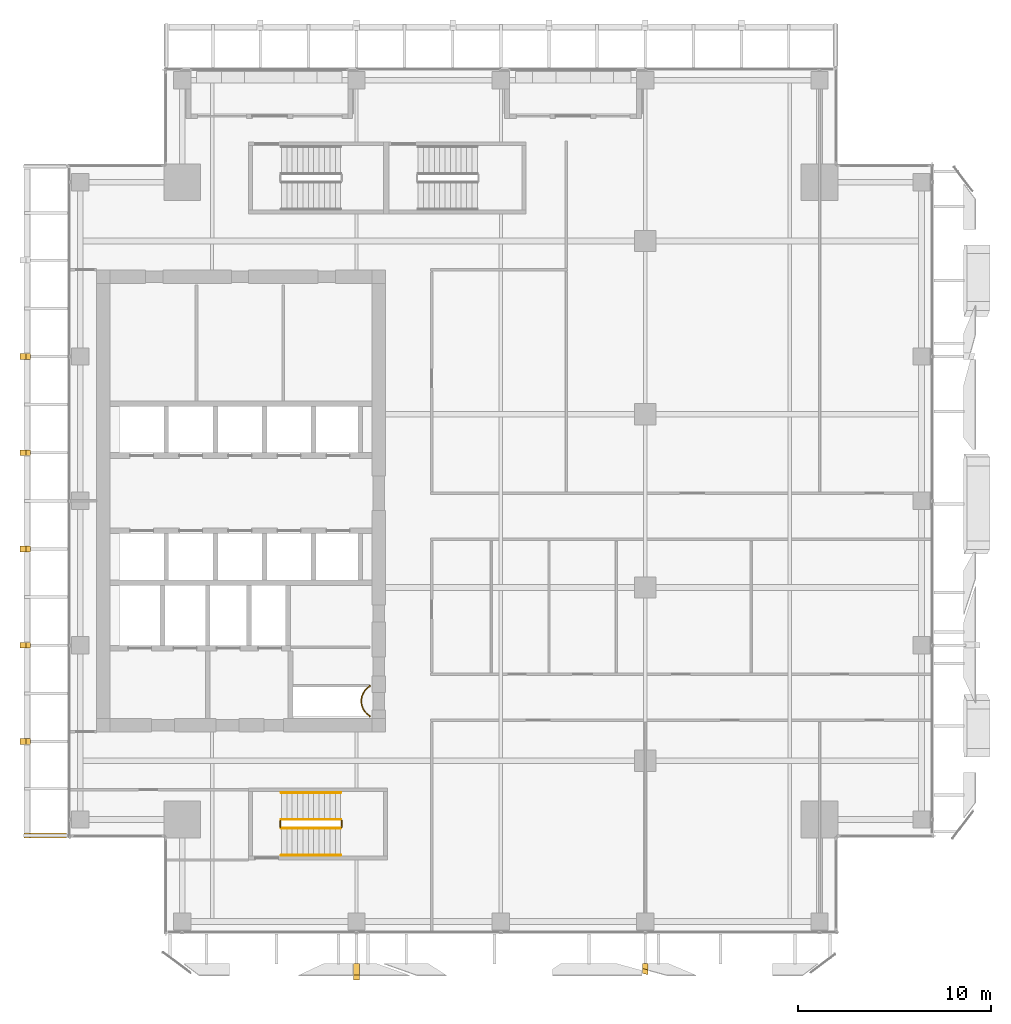
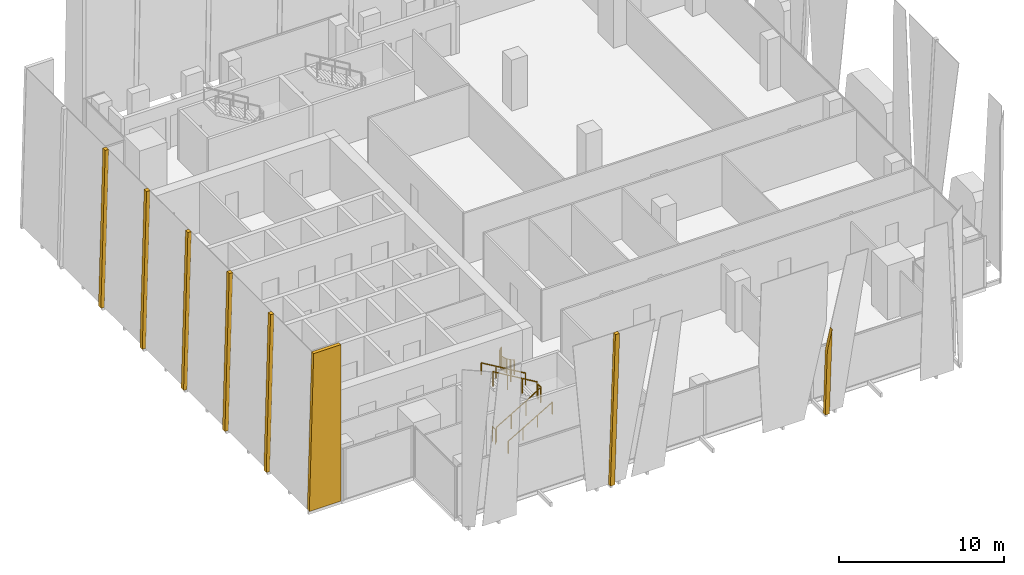
# One storey, part 30 of 33: 8 coverings, 7 railings.
"""IFC4 building model written with IfcOpenShell, lengths in metres."""

from ifc_helpers import new_model, si_unit, direction, frame, origin, origin_2d, place, context, subcontext, project, spatial, polyline, circle, outline, extrude, source, transform, mapped, material, layer, layer_set, type_object, element, save


model = new_model("IFC4")

# Units and contexts
model_context = context("Model", 3, precision=1e-05, world=origin(), true_north=direction((0.0, 1.0)))
body_context = subcontext(model_context, "Body", "Model", "MODEL_VIEW")
ifc_project = project(units=[si_unit("LENGTHUNIT", "METRE"), si_unit("AREAUNIT", "SQUARE_METRE"), si_unit("VOLUMEUNIT", "CUBIC_METRE"), si_unit("PLANEANGLEUNIT", "RADIAN"), si_unit("MASSUNIT", "GRAM", prefix="KILO")], contexts=[model_context])

# Site, building, storey
site_placement = place(None, origin())
site = spatial("IfcSite", under=ifc_project, at=site_placement, CompositionType="ELEMENT")
building_placement = place(site_placement, origin())
building = spatial("IfcBuilding", under=site, at=building_placement, Name="Khomas Fold Tower", CompositionType="ELEMENT")
storey_placement = place(building_placement, frame((0.0, 0.0, 234.199951171875)))
storey = spatial("IfcBuildingStorey", under=building, at=storey_placement, Name="L52", CompositionType="ELEMENT", Elevation=234.199951171875)

# Coverings
ifc_material_1 = material(Name="Natural stone cladding", Category="masonry")
ifc_layer = layer(ifc_material_1, 0.25)
ifc_layer_set = layer_set([ifc_layer], Name="Natural stone cladding")
covering_type = type_object("IfcCoveringType", Name="SK-Karibib marble stone mullion", PredefinedType="CLADDING", material=ifc_layer_set)
covering_1_placement = place(storey_placement, frame((19.35009765625, 2.97119140625, 0.0), z_axis=(0.0, 0.99862882819, 0.052349436554), x_axis=(0.0, -0.052349436554, 0.99862882819)))
element("IfcCovering", 1, at=covering_1_placement, inside=storey, type_object=covering_type, Name="OUTER SKIN mullion L52 SM100-5", PredefinedType="CLADDING", context=body_context, shape_type="SweptSolid", body=[
    extrude(outline(polyline([(0.0, 0.0), (11.565907674683308, 0.0), (11.565907674683308, 0.2998046875), (0.0, 0.2998046875), (0.0, 0.0)])), origin(), (0.0, 0.0, -1.0), 0.25),
])
covering_2_placement = place(storey_placement, frame((34.35009765625, 2.97119140625, 0.0), z_axis=(3.4773191e-05, 0.998628870917, 0.052348609923), x_axis=(-7.4e-11, -0.052348609955, 0.998628871521)))
element("IfcCovering", 2, at=covering_2_placement, inside=storey, type_object=covering_type, Name="OUTER SKIN mullion L52 SM103-7", PredefinedType="CLADDING", context=body_context, shape_type="SweptSolid", body=[
    extrude(outline(polyline([(0.0, 0.0), (4.887804778212142, -1.6940658945086007e-21), (6.44976196678466, 0.2998046881596209), (-2.2235764758988398e-11, 0.2998046873187419), (0.0, 0.0)])), origin(), (0.0, 0.0, -1.0), 0.25),
])
for number, where, z_axis, x_axis, name in (
    (3, (2.02490234375, 14.35009765625, 0.006591796875), (-0.999657230839, 0.0, 0.026180543005), (0.0, 1.0, 0.0), "OUTER SKIN mullion L52 W2"),
    (4, (2.02490234375, 19.35009765625, 0.006591796875), (-0.999657230839, 0.0, 0.026180543005), (0.0, 1.0, 0.0), "OUTER SKIN mullion L52 W4"),
    (5, (2.02490234375, 24.35009765625, 0.006591796875), (-0.999657230839, 0.0, 0.026180543005), (0.0, 1.0, 0.0), "OUTER SKIN mullion L52 W6"),
    (6, (2.02490234375, 29.35009765625, 0.006591796875), (-0.999657230839, 0.0, 0.026180543005), (0.0, 1.0, 0.0), "OUTER SKIN mullion L52 W8"),
    (7, (2.02490234375, 34.35009765625, 0.006591796875), (-0.999657230839, 0.0, 0.026180543005), (0.0, 1.0, 0.0), "OUTER SKIN mullion L52 W10"),
):
    element("IfcCovering", number, at=place(storey_placement, frame(where, z_axis=z_axis, x_axis=x_axis)), inside=storey, type_object=covering_type, Name=name, PredefinedType="CLADDING", context=body_context, shape_type="SweptSolid", body=[
        extrude(outline(polyline([(0.0, 0.0), (0.2998046875, 0.0), (0.2998046875, -11.554009186164079), (0.0, -11.554009186164079), (0.0, 0.0)])), origin(), (0.0, 0.0, -1.0), 0.25),
    ])
covering_3_placement = place(storey_placement, frame((4.449951171875, 9.5, 11.550048828125), z_axis=(0.0, -1.0, 0.0), x_axis=(-1.0, 0.0, 0.0)))
element("IfcCovering", 8, at=covering_3_placement, inside=storey, type_object=covering_type, Name="OUTER SKIN return L52 W1", PredefinedType="CLADDING", context=body_context, shape_type="SweptSolid", body=[
    extrude(outline(polyline([(0.0, 0.0), (1.91259765625, 0.0), (2.215087890625, 11.550048828125), (0.0, 11.550048828125), (0.0, 0.0)])), origin(), (0.0, 0.0, -1.0), 0.25),
])

# Railings
ifc_material_2 = material(Name="Steel balustrade", Category="steel")
railing_type_1 = type_object("IfcRailingType", Name="Stair guard", PredefinedType="GUARDRAIL", material=ifc_material_2)
shared_shape_1 = source(origin(), body_context, "Body", "SweptSolid", [
    extrude(circle(Radius=0.02392578125, at=origin_2d()), frame((0.0, 0.0, 1.076171875), z_axis=(0.0, 1.0, 0.0), x_axis=(-1.0, 0.0, 0.0)), (0.0, 0.0, 1.0), 0.349853515625),
    extrude(circle(Radius=0.02099609375, at=origin_2d()), origin(), (0.0, 0.0, 1.0), 1.052001953125),
    extrude(circle(Radius=0.02099609375, at=origin_2d()), frame((0.0, 0.349853515625, 0.0)), (0.0, 0.0, 1.0), 1.052001953125),
])
for number, where, name in (
    (9, (18.72998046875, 10.050048828125, 2.0), "L52 ST2 stair guard 2"),
    (10, (15.550048828125, 10.050048828125, 0.0), "L52 ST2 stair guard 4"),
):
    element("IfcRailing", number, at=place(storey_placement, frame(where)), inside=storey, type_object=railing_type_1, Name=name, PredefinedType="GUARDRAIL", context=body_context, shape_type="MappedRepresentation", body=[
        mapped(shared_shape_1, transform((0.0, 0.0, 0.0))),
    ])
shared_shape_2 = source(origin(), body_context, "Body", "SweptSolid", [
    extrude(circle(Radius=0.02392578125, at=origin_2d()), frame((0.0, 0.0, 1.076171875), z_axis=(0.859290745958, 0.0, 0.51148745235), x_axis=(0.0, 1.0, 0.0)), (0.0, 0.0, 1.0), 3.584228515625),
    extrude(circle(Radius=0.02099609375, at=origin_2d()), origin(), (0.0, 0.0, 1.0), 1.052001953125),
    extrude(circle(Radius=0.02099609375, at=origin_2d()), frame((1.026611328125, 0.0, 0.611083984375)), (0.0, 0.0, 1.0), 1.052001953125),
    extrude(circle(Radius=0.02099609375, at=origin_2d()), frame((2.05322265625, 0.0, 1.22216796875)), (0.0, 0.0, 1.0), 1.052001953125),
    extrude(circle(Radius=0.02099609375, at=origin_2d()), frame((3.079833984375, 0.0, 1.833251953125)), (0.0, 0.0, 1.0), 1.052001953125),
])
railing_1_placement = place(storey_placement, frame((15.60009765625, 10.0, 0.166748046875)))
element("IfcRailing", 11, at=railing_1_placement, inside=storey, type_object=railing_type_1, Name="L52 ST2 stair guard 1", PredefinedType="GUARDRAIL", context=body_context, shape_type="MappedRepresentation", body=[
    mapped(shared_shape_2, transform((0.0, 0.0, 0.0))),
])
shared_shape_3 = source(origin(), body_context, "Body", "SweptSolid", [
    extrude(circle(Radius=0.02392578125, at=origin_2d()), frame((0.0, 0.0, 1.076171875), z_axis=(-0.859290745958, 0.0, 0.51148745235), x_axis=(0.0, -1.0, 0.0)), (0.0, 0.0, 1.0), 3.584228515625),
    extrude(circle(Radius=0.02099609375, at=origin_2d()), origin(), (0.0, 0.0, 1.0), 1.052001953125),
    extrude(circle(Radius=0.02099609375, at=origin_2d()), frame((-1.026611328125, 0.0, 0.611083984375)), (0.0, 0.0, 1.0), 1.052001953125),
    extrude(circle(Radius=0.02099609375, at=origin_2d()), frame((-2.05322265625, 0.0, 1.22216796875)), (0.0, 0.0, 1.0), 1.052001953125),
    extrude(circle(Radius=0.02099609375, at=origin_2d()), frame((-3.079833984375, 0.0, 1.833251953125)), (0.0, 0.0, 1.0), 1.052001953125),
])
railing_2_placement = place(storey_placement, frame((18.679931640625, 10.449951171875, 2.166748046875)))
element("IfcRailing", 12, at=railing_2_placement, inside=storey, type_object=railing_type_1, Name="L52 ST2 stair guard 3", PredefinedType="GUARDRAIL", context=body_context, shape_type="MappedRepresentation", body=[
    mapped(shared_shape_3, transform((0.0, 0.0, 0.0))),
])
ifc_material_3 = material(Name="Steel handrail", Category="steel")
railing_type_2 = type_object("IfcRailingType", Name="Stair handrail", PredefinedType="HANDRAIL", material=ifc_material_3)
shared_shape_4 = source(origin(), body_context, "Body", "SweptSolid", [
    extrude(circle(Radius=0.02392578125, at=origin_2d()), frame((0.0, 0.0, 0.8759765625), z_axis=(0.859290745958, 0.0, 0.51148745235), x_axis=(0.0, 1.0, 0.0)), (0.0, 0.0, 1.0), 3.584228515625),
    extrude(circle(Radius=0.02099609375, at=origin_2d()), origin(), (0.0, 0.0, 1.0), 0.851806640625),
    extrude(circle(Radius=0.02099609375, at=origin_2d()), frame((1.026611328125, 0.0, 0.611083984375)), (0.0, 0.0, 1.0), 0.851806640625),
    extrude(circle(Radius=0.02099609375, at=origin_2d()), frame((2.05322265625, 0.0, 1.22216796875)), (0.0, 0.0, 1.0), 0.851806640625),
    extrude(circle(Radius=0.02099609375, at=origin_2d()), frame((3.079833984375, 0.0, 1.833251953125)), (0.0, 0.0, 1.0), 0.851806640625),
])
railing_3_placement = place(storey_placement, frame((15.60009765625, 8.60009765625, 0.166748046875)))
element("IfcRailing", 13, at=railing_3_placement, inside=storey, type_object=railing_type_2, Name="L52 ST2 stair handrail 1", PredefinedType="HANDRAIL", context=body_context, shape_type="MappedRepresentation", body=[
    mapped(shared_shape_4, transform((0.0, 0.0, 0.0))),
])
shared_shape_5 = source(origin(), body_context, "Body", "SweptSolid", [
    extrude(circle(Radius=0.02392578125, at=origin_2d()), frame((0.0, 0.0, 0.8759765625), z_axis=(-0.859290745958, 0.0, 0.51148745235), x_axis=(0.0, -1.0, 0.0)), (0.0, 0.0, 1.0), 3.584228515625),
    extrude(circle(Radius=0.02099609375, at=origin_2d()), origin(), (0.0, 0.0, 1.0), 0.851806640625),
    extrude(circle(Radius=0.02099609375, at=origin_2d()), frame((-1.026611328125, 0.0, 0.611083984375)), (0.0, 0.0, 1.0), 0.851806640625),
    extrude(circle(Radius=0.02099609375, at=origin_2d()), frame((-2.05322265625, 0.0, 1.22216796875)), (0.0, 0.0, 1.0), 0.851806640625),
    extrude(circle(Radius=0.02099609375, at=origin_2d()), frame((-3.079833984375, 0.0, 1.833251953125)), (0.0, 0.0, 1.0), 0.851806640625),
])
railing_4_placement = place(storey_placement, frame((18.679931640625, 11.85009765625, 2.166748046875)))
element("IfcRailing", 14, at=railing_4_placement, inside=storey, type_object=railing_type_2, Name="L52 ST2 stair handrail 2", PredefinedType="HANDRAIL", context=body_context, shape_type="MappedRepresentation", body=[
    mapped(shared_shape_5, transform((0.0, 0.0, 0.0))),
])
ifc_material_4 = material(Name="Steel balustrade", Category="steel")
railing_type_3 = type_object("IfcRailingType", Name="Shaft guard", PredefinedType="GUARDRAIL", material=ifc_material_4)
shared_shape_6 = source(origin(), body_context, "Body", "SweptSolid", [
    extrude(circle(Radius=0.02490234375, at=origin_2d()), frame((0.0, 0.0, 1.0751953125), z_axis=(1.0, 0.0, 0.0), x_axis=(0.0, 1.0, 0.0)), (0.0, 0.0, 1.0), 0.02197265625),
    extrude(circle(Radius=0.02490234375, at=origin_2d()), frame((0.02197265625, 0.0, 1.0751953125), z_axis=(0.0, -1.0, 0.0), x_axis=(1.0, 0.0, 0.0)), (0.0, 0.0, 1.0), 0.021484375),
    extrude(circle(Radius=0.02490234375, at=origin_2d()), frame((0.02197265625, -0.021484375, 1.0751953125), z_axis=(-0.857492925713, -0.514495755428, 0.0), x_axis=(0.514495755428, -0.857492925713, 0.0)), (0.0, 0.0, 1.0), 0.058349609375),
    extrude(circle(Radius=0.02490234375, at=origin_2d()), frame((-0.028076171875, -0.051513671875, 1.0751953125), z_axis=(-0.801986734315, -0.597341843489, 0.0), x_axis=(0.597341843489, -0.801986734315, 0.0)), (0.0, 0.0, 1.0), 0.08837890625),
    extrude(circle(Radius=0.02490234375, at=origin_2d()), frame((-0.098876953125, -0.104248046875, 1.0751953125), z_axis=(-0.740814996175, -0.671709119666, 0.0), x_axis=(0.671709119666, -0.740814996175, 0.0)), (0.0, 0.0, 1.0), 0.08837890625),
    extrude(circle(Radius=0.02490234375, at=origin_2d()), frame((-0.164306640625, -0.16357421875, 1.0751953125), z_axis=(-0.671709119666, -0.740814996175, 0.0), x_axis=(0.740814996175, -0.671709119666, 0.0)), (0.0, 0.0, 1.0), 0.08837890625),
    extrude(circle(Radius=0.02490234375, at=origin_2d()), frame((-0.2236328125, -0.22900390625, 1.0751953125), z_axis=(-0.597341843489, -0.801986734315, 0.0), x_axis=(0.801986734315, -0.597341843489, 0.0)), (0.0, 0.0, 1.0), 0.08837890625),
    extrude(circle(Radius=0.02490234375, at=origin_2d()), frame((-0.2763671875, -0.2998046875, 1.0751953125), z_axis=(-0.514495755428, -0.857492925713, 0.0), x_axis=(0.857492925713, -0.514495755428, 0.0)), (0.0, 0.0, 1.0), 0.08837890625),
    extrude(circle(Radius=0.02490234375, at=origin_2d()), frame((-0.32177734375, -0.37548828125, 1.0751953125), z_axis=(-0.424999439989, -0.905193612444, 0.0), x_axis=(0.905193612444, -0.424999439989, 0.0)), (0.0, 0.0, 1.0), 0.08837890625),
    extrude(circle(Radius=0.02490234375, at=origin_2d()), frame((-0.359375, -0.45556640625, 1.0751953125), z_axis=(-0.337738989679, -0.941239807302, 0.0), x_axis=(0.941239807302, -0.337738989679, 0.0)), (0.0, 0.0, 1.0), 0.088134765625),
    extrude(circle(Radius=0.02490234375, at=origin_2d()), frame((-0.38916015625, -0.53857421875, 1.0751953125), z_axis=(-0.243185799972, -0.969979724887, 0.0), x_axis=(0.969979724887, -0.243185799972, 0.0)), (0.0, 0.0, 1.0), 0.08837890625),
    extrude(circle(Radius=0.02490234375, at=origin_2d()), frame((-0.41064453125, -0.624267578125, 1.0751953125), z_axis=(-0.146448518259, -0.989218293148, 0.0), x_axis=(0.989218293148, -0.146448518259, 0.0)), (0.0, 0.0, 1.0), 0.08837890625),
    extrude(circle(Radius=0.02490234375, at=origin_2d()), frame((-0.423583984375, -0.711669921875, 1.0751953125), z_axis=(-0.049799629132, -0.998759228712, 0.0), x_axis=(0.998759228712, -0.049799629132, 0.0)), (0.0, 0.0, 1.0), 0.088134765625),
    extrude(circle(Radius=0.02490234375, at=origin_2d()), frame((-0.427978515625, -0.7998046875, 1.0751953125), z_axis=(0.049662400856, -0.998766061669, 0.0), x_axis=(0.998766061669, 0.049662400856, 0.0)), (0.0, 0.0, 1.0), 0.08837890625),
    extrude(circle(Radius=0.02490234375, at=origin_2d()), frame((-0.423583984375, -0.88818359375, 1.0751953125), z_axis=(0.146448518259, -0.989218293148, 0.0), x_axis=(0.989218293148, 0.146448518259, 0.0)), (0.0, 0.0, 1.0), 0.08837890625),
    extrude(circle(Radius=0.02490234375, at=origin_2d()), frame((-0.41064453125, -0.9755859375, 1.0751953125), z_axis=(0.243185799972, -0.969979724887, 0.0), x_axis=(0.969979724887, 0.243185799972, 0.0)), (0.0, 0.0, 1.0), 0.08837890625),
    extrude(circle(Radius=0.02490234375, at=origin_2d()), frame((-0.38916015625, -1.061279296875, 1.0751953125), z_axis=(0.337738989679, -0.941239807302, 0.0), x_axis=(0.941239807302, 0.337738989679, 0.0)), (0.0, 0.0, 1.0), 0.088134765625),
    extrude(circle(Radius=0.02490234375, at=origin_2d()), frame((-0.359375, -1.144287109375, 1.0751953125), z_axis=(0.426063493689, -0.904693262573, 0.0), x_axis=(0.904693262573, 0.426063493689, 0.0)), (0.0, 0.0, 1.0), 0.088134765625),
    extrude(circle(Radius=0.02490234375, at=origin_2d()), frame((-0.32177734375, -1.22412109375, 1.0751953125), z_axis=(0.514495755428, -0.857492925713, 0.0), x_axis=(0.857492925713, 0.514495755428, 0.0)), (0.0, 0.0, 1.0), 0.08837890625),
    extrude(circle(Radius=0.02490234375, at=origin_2d()), frame((-0.2763671875, -1.2998046875, 1.0751953125), z_axis=(0.596019138224, -0.802970227885, 0.0), x_axis=(0.802970227885, 0.596019138224, 0.0)), (0.0, 0.0, 1.0), 0.08837890625),
    extrude(circle(Radius=0.02490234375, at=origin_2d()), frame((-0.2236328125, -1.370849609375, 1.0751953125), z_axis=(0.671709119666, -0.740814996175, 0.0), x_axis=(0.740814996175, 0.671709119666, 0.0)), (0.0, 0.0, 1.0), 0.08837890625),
    extrude(circle(Radius=0.02490234375, at=origin_2d()), frame((-0.164306640625, -1.436279296875, 1.0751953125), z_axis=(0.740814996175, -0.671709119666, 0.0), x_axis=(0.671709119666, 0.740814996175, 0.0)), (0.0, 0.0, 1.0), 0.08837890625),
    extrude(circle(Radius=0.02490234375, at=origin_2d()), frame((-0.098876953125, -1.49560546875, 1.0751953125), z_axis=(0.803311771616, -0.595558727233, 0.0), x_axis=(0.595558727233, 0.803311771616, 0.0)), (0.0, 0.0, 1.0), 0.088134765625),
    extrude(circle(Radius=0.02490234375, at=origin_2d()), frame((-0.028076171875, -1.548095703125, 1.0751953125), z_axis=(0.857492925713, -0.514495755428, 0.0), x_axis=(0.514495755428, 0.857492925713, 0.0)), (0.0, 0.0, 1.0), 0.058349609375),
    extrude(circle(Radius=0.02490234375, at=origin_2d()), frame((0.02197265625, -1.578125, 1.0751953125), z_axis=(0.0, -1.0, 0.0), x_axis=(1.0, 0.0, 0.0)), (0.0, 0.0, 1.0), 0.021728515625),
    extrude(circle(Radius=0.02490234375, at=origin_2d()), frame((0.02197265625, -1.599853515625, 1.0751953125), z_axis=(-1.0, 0.0, 0.0), x_axis=(0.0, -1.0, 0.0)), (0.0, 0.0, 1.0), 0.02197265625),
    extrude(circle(Radius=0.02001953125, at=origin_2d()), origin(), (0.0, 0.0, 1.0), 1.050048828125),
    extrude(circle(Radius=0.02001953125, at=origin_2d()), frame((0.02197265625, 0.0, 0.0)), (0.0, 0.0, 1.0), 1.050048828125),
    extrude(circle(Radius=0.02001953125, at=origin_2d()), frame((0.02197265625, -0.021484375, 0.0)), (0.0, 0.0, 1.0), 1.050048828125),
    extrude(circle(Radius=0.02001953125, at=origin_2d()), frame((-0.028076171875, -0.051513671875, 0.0)), (0.0, 0.0, 1.0), 1.050048828125),
    extrude(circle(Radius=0.02001953125, at=origin_2d()), frame((-0.098876953125, -0.104248046875, 0.0)), (0.0, 0.0, 1.0), 1.050048828125),
    extrude(circle(Radius=0.02001953125, at=origin_2d()), frame((-0.164306640625, -0.16357421875, 0.0)), (0.0, 0.0, 1.0), 1.050048828125),
    extrude(circle(Radius=0.02001953125, at=origin_2d()), frame((-0.2236328125, -0.22900390625, 0.0)), (0.0, 0.0, 1.0), 1.050048828125),
    extrude(circle(Radius=0.02001953125, at=origin_2d()), frame((-0.2763671875, -0.2998046875, 0.0)), (0.0, 0.0, 1.0), 1.050048828125),
    extrude(circle(Radius=0.02001953125, at=origin_2d()), frame((-0.32177734375, -0.37548828125, 0.0)), (0.0, 0.0, 1.0), 1.050048828125),
    extrude(circle(Radius=0.02001953125, at=origin_2d()), frame((-0.359375, -0.45556640625, 0.0)), (0.0, 0.0, 1.0), 1.050048828125),
    extrude(circle(Radius=0.02001953125, at=origin_2d()), frame((-0.38916015625, -0.53857421875, 0.0)), (0.0, 0.0, 1.0), 1.050048828125),
    extrude(circle(Radius=0.02001953125, at=origin_2d()), frame((-0.41064453125, -0.624267578125, 0.0)), (0.0, 0.0, 1.0), 1.050048828125),
    extrude(circle(Radius=0.02001953125, at=origin_2d()), frame((-0.423583984375, -0.711669921875, 0.0)), (0.0, 0.0, 1.0), 1.050048828125),
    extrude(circle(Radius=0.02001953125, at=origin_2d()), frame((-0.427978515625, -0.7998046875, 0.0)), (0.0, 0.0, 1.0), 1.050048828125),
    extrude(circle(Radius=0.02001953125, at=origin_2d()), frame((-0.423583984375, -0.88818359375, 0.0)), (0.0, 0.0, 1.0), 1.050048828125),
    extrude(circle(Radius=0.02001953125, at=origin_2d()), frame((-0.41064453125, -0.9755859375, 0.0)), (0.0, 0.0, 1.0), 1.050048828125),
    extrude(circle(Radius=0.02001953125, at=origin_2d()), frame((-0.38916015625, -1.061279296875, 0.0)), (0.0, 0.0, 1.0), 1.050048828125),
    extrude(circle(Radius=0.02001953125, at=origin_2d()), frame((-0.359375, -1.144287109375, 0.0)), (0.0, 0.0, 1.0), 1.050048828125),
    extrude(circle(Radius=0.02001953125, at=origin_2d()), frame((-0.32177734375, -1.22412109375, 0.0)), (0.0, 0.0, 1.0), 1.050048828125),
    extrude(circle(Radius=0.02001953125, at=origin_2d()), frame((-0.2763671875, -1.2998046875, 0.0)), (0.0, 0.0, 1.0), 1.050048828125),
    extrude(circle(Radius=0.02001953125, at=origin_2d()), frame((-0.2236328125, -1.370849609375, 0.0)), (0.0, 0.0, 1.0), 1.050048828125),
    extrude(circle(Radius=0.02001953125, at=origin_2d()), frame((-0.164306640625, -1.436279296875, 0.0)), (0.0, 0.0, 1.0), 1.050048828125),
    extrude(circle(Radius=0.02001953125, at=origin_2d()), frame((-0.098876953125, -1.49560546875, 0.0)), (0.0, 0.0, 1.0), 1.050048828125),
    extrude(circle(Radius=0.02001953125, at=origin_2d()), frame((-0.028076171875, -1.548095703125, 0.0)), (0.0, 0.0, 1.0), 1.050048828125),
    extrude(circle(Radius=0.02001953125, at=origin_2d()), frame((0.02197265625, -1.578125, 0.0)), (0.0, 0.0, 1.0), 1.050048828125),
    extrude(circle(Radius=0.02001953125, at=origin_2d()), frame((0.02197265625, -1.599853515625, 0.0)), (0.0, 0.0, 1.0), 1.050048828125),
    extrude(circle(Radius=0.02001953125, at=origin_2d()), frame((0.0, -1.599853515625, 0.0)), (0.0, 0.0, 1.0), 1.050048828125),
])
railing_5_placement = place(storey_placement, frame((20.177978515625, 17.39990234375, 0.0)))
element("IfcRailing", 15, at=railing_5_placement, inside=storey, type_object=railing_type_3, Name="Shaft guard L52 1", PredefinedType="GUARDRAIL", context=body_context, shape_type="MappedRepresentation", body=[
    mapped(shared_shape_6, transform((0.0, 0.0, 0.0))),
])

save(model, "model.ifc")
